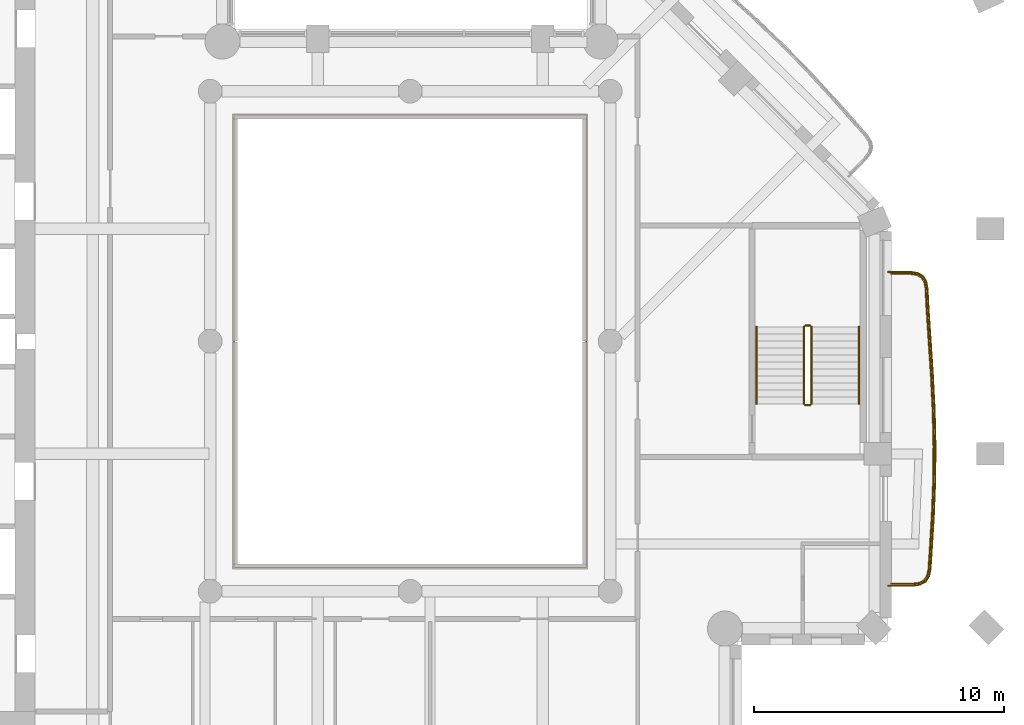
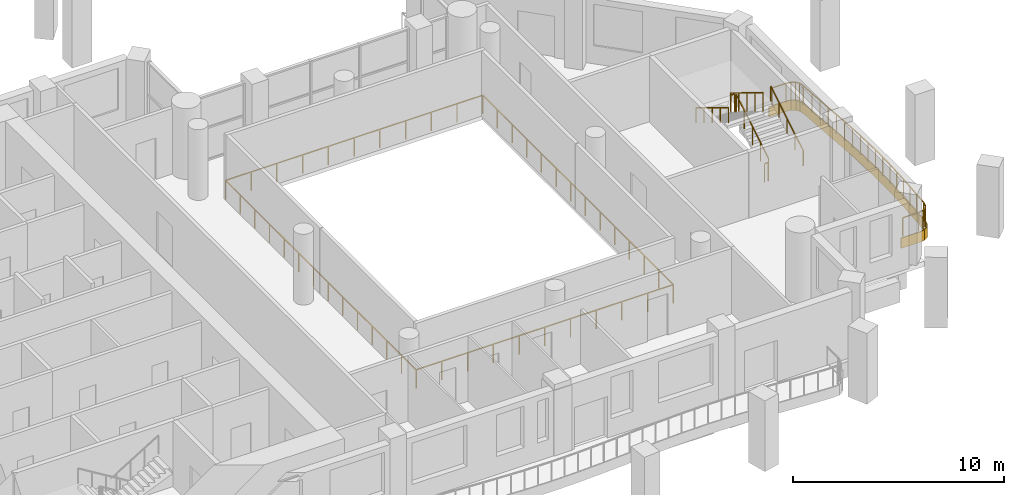
# One storey, part 11 of 13: 8 railings, 1 covering.
"""IFC4 building model written with IfcOpenShell, lengths in metres."""

from ifc_helpers import new_model, si_unit, direction, frame, origin, origin_2d, place, context, subcontext, project, spatial, polyline, rectangle, outline, extrude, material, layer, layer_set, type_object, element, save


model = new_model("IFC4")

# Units and contexts
model_context = context("Model", 3, precision=1e-05, world=origin(), true_north=direction((0.0, 1.0)))
body_context = subcontext(model_context, "Body", "Model", "MODEL_VIEW")
ifc_project = project(units=[si_unit("LENGTHUNIT", "METRE"), si_unit("AREAUNIT", "SQUARE_METRE"), si_unit("VOLUMEUNIT", "CUBIC_METRE"), si_unit("PLANEANGLEUNIT", "RADIAN"), si_unit("MASSUNIT", "GRAM", prefix="KILO")], contexts=[model_context])

# Site, building, storey
site_placement = place(None, origin())
site = spatial("IfcSite", under=ifc_project, at=site_placement, CompositionType="ELEMENT")
building_placement = place(site_placement, origin())
building = spatial("IfcBuilding", under=site, at=building_placement, Name="Cypress Arch Tower", CompositionType="ELEMENT")
storey_placement = place(building_placement, frame((0.0, 0.0, 189.199951171875)))
storey = spatial("IfcBuildingStorey", under=building, at=storey_placement, Name="L41", CompositionType="ELEMENT", Elevation=189.199951171875)

# Railing
ifc_material_1 = material(Name="Stainless steel posts and handrail, laminated glass infill", Category="steel")
railing_type_1 = type_object("IfcRailingType", Name="Atrium guard GR1100A", PredefinedType="GUARDRAIL", material=ifc_material_1)
railing_1_placement = place(storey_placement, frame((8.050048828125, -9.050048828125, 0.0)))
element("IfcRailing", 1, at=railing_1_placement, inside=storey, type_object=railing_type_1, Name="Atrium guard L41", PredefinedType="GUARDRAIL", context=body_context, shape_type="SweptSolid", body=[
    extrude(rectangle(XDim=0.050048828125, YDim=0.050048828125, at=origin_2d()), frame((0.0, 0.0, 1.0751953125), z_axis=(-1.0, 0.0, 0.0), x_axis=(0.0, -1.0, 0.0)), (0.0, 0.0, 1.0), 14.10009765625),
    extrude(rectangle(XDim=0.050048828125, YDim=0.050048828125, at=origin_2d()), frame((-14.10009765625, 0.0, 1.0751953125), z_axis=(0.0, 1.0, 0.0), x_axis=(-1.0, 0.0, 0.0)), (0.0, 0.0, 1.0), 18.10009765625),
    extrude(rectangle(XDim=0.050048828125, YDim=0.050048828125, at=origin_2d()), frame((-14.10009765625, 18.10009765625, 1.0751953125), z_axis=(1.0, 0.0, 0.0), x_axis=(0.0, 1.0, 0.0)), (0.0, 0.0, 1.0), 14.10009765625),
    extrude(rectangle(XDim=0.050048828125, YDim=0.050048828125, at=origin_2d()), frame((0.0, 18.10009765625, 1.0751953125), z_axis=(0.0, -1.0, 0.0), x_axis=(1.0, 0.0, 0.0)), (0.0, 0.0, 1.0), 18.10009765625),
    extrude(rectangle(XDim=0.050048828125, YDim=0.050048828125, at=origin_2d()), origin(), (0.0, 0.0, 1.0), 1.050048828125),
    extrude(rectangle(XDim=0.050048828125, YDim=0.050048828125, at=origin_2d()), frame((-1.409912109375, 0.0, 0.0)), (0.0, 0.0, 1.0), 1.050048828125),
    extrude(rectangle(XDim=0.050048828125, YDim=0.050048828125, at=origin_2d()), frame((-2.820068359375, 0.0, 0.0)), (0.0, 0.0, 1.0), 1.050048828125),
    extrude(rectangle(XDim=0.050048828125, YDim=0.050048828125, at=origin_2d()), frame((-4.22998046875, 0.0, 0.0)), (0.0, 0.0, 1.0), 1.050048828125),
    extrude(rectangle(XDim=0.050048828125, YDim=0.050048828125, at=origin_2d()), frame((-5.64013671875, 0.0, 0.0)), (0.0, 0.0, 1.0), 1.050048828125),
    extrude(rectangle(XDim=0.050048828125, YDim=0.050048828125, at=origin_2d()), frame((-7.050048828125, 0.0, 0.0)), (0.0, 0.0, 1.0), 1.050048828125),
    extrude(rectangle(XDim=0.050048828125, YDim=0.050048828125, at=origin_2d()), frame((-8.4599609375, 0.0, 0.0)), (0.0, 0.0, 1.0), 1.050048828125),
    extrude(rectangle(XDim=0.050048828125, YDim=0.050048828125, at=origin_2d()), frame((-9.8701171875, 0.0, 0.0)), (0.0, 0.0, 1.0), 1.050048828125),
    extrude(rectangle(XDim=0.050048828125, YDim=0.050048828125, at=origin_2d()), frame((-11.280029296875, 0.0, 0.0)), (0.0, 0.0, 1.0), 1.050048828125),
    extrude(rectangle(XDim=0.050048828125, YDim=0.050048828125, at=origin_2d()), frame((-12.690185546875, 0.0, 0.0)), (0.0, 0.0, 1.0), 1.050048828125),
    extrude(rectangle(XDim=0.050048828125, YDim=0.050048828125, at=origin_2d()), frame((-14.10009765625, 0.0, 0.0)), (0.0, 0.0, 1.0), 1.050048828125),
    extrude(rectangle(XDim=0.050048828125, YDim=0.050048828125, at=origin_2d()), frame((-14.10009765625, 1.392333984375, 0.0)), (0.0, 0.0, 1.0), 1.050048828125),
    extrude(rectangle(XDim=0.050048828125, YDim=0.050048828125, at=origin_2d()), frame((-14.10009765625, 2.78466796875, 0.0)), (0.0, 0.0, 1.0), 1.050048828125),
    extrude(rectangle(XDim=0.050048828125, YDim=0.050048828125, at=origin_2d()), frame((-14.10009765625, 4.177001953125, 0.0)), (0.0, 0.0, 1.0), 1.050048828125),
    extrude(rectangle(XDim=0.050048828125, YDim=0.050048828125, at=origin_2d()), frame((-14.10009765625, 5.5693359375, 0.0)), (0.0, 0.0, 1.0), 1.050048828125),
    extrude(rectangle(XDim=0.050048828125, YDim=0.050048828125, at=origin_2d()), frame((-14.10009765625, 6.961669921875, 0.0)), (0.0, 0.0, 1.0), 1.050048828125),
    extrude(rectangle(XDim=0.050048828125, YDim=0.050048828125, at=origin_2d()), frame((-14.10009765625, 8.35400390625, 0.0)), (0.0, 0.0, 1.0), 1.050048828125),
    extrude(rectangle(XDim=0.050048828125, YDim=0.050048828125, at=origin_2d()), frame((-14.10009765625, 9.74609375, 0.0)), (0.0, 0.0, 1.0), 1.050048828125),
    extrude(rectangle(XDim=0.050048828125, YDim=0.050048828125, at=origin_2d()), frame((-14.10009765625, 11.138427734375, 0.0)), (0.0, 0.0, 1.0), 1.050048828125),
    extrude(rectangle(XDim=0.050048828125, YDim=0.050048828125, at=origin_2d()), frame((-14.10009765625, 12.53076171875, 0.0)), (0.0, 0.0, 1.0), 1.050048828125),
    extrude(rectangle(XDim=0.050048828125, YDim=0.050048828125, at=origin_2d()), frame((-14.10009765625, 13.923095703125, 0.0)), (0.0, 0.0, 1.0), 1.050048828125),
    extrude(rectangle(XDim=0.050048828125, YDim=0.050048828125, at=origin_2d()), frame((-14.10009765625, 15.3154296875, 0.0)), (0.0, 0.0, 1.0), 1.050048828125),
    extrude(rectangle(XDim=0.050048828125, YDim=0.050048828125, at=origin_2d()), frame((-14.10009765625, 16.707763671875, 0.0)), (0.0, 0.0, 1.0), 1.050048828125),
    extrude(rectangle(XDim=0.050048828125, YDim=0.050048828125, at=origin_2d()), frame((-14.10009765625, 18.10009765625, 0.0)), (0.0, 0.0, 1.0), 1.050048828125),
    extrude(rectangle(XDim=0.050048828125, YDim=0.050048828125, at=origin_2d()), frame((-12.690185546875, 18.10009765625, 0.0)), (0.0, 0.0, 1.0), 1.050048828125),
    extrude(rectangle(XDim=0.050048828125, YDim=0.050048828125, at=origin_2d()), frame((-11.280029296875, 18.10009765625, 0.0)), (0.0, 0.0, 1.0), 1.050048828125),
    extrude(rectangle(XDim=0.050048828125, YDim=0.050048828125, at=origin_2d()), frame((-9.8701171875, 18.10009765625, 0.0)), (0.0, 0.0, 1.0), 1.050048828125),
    extrude(rectangle(XDim=0.050048828125, YDim=0.050048828125, at=origin_2d()), frame((-8.4599609375, 18.10009765625, 0.0)), (0.0, 0.0, 1.0), 1.050048828125),
    extrude(rectangle(XDim=0.050048828125, YDim=0.050048828125, at=origin_2d()), frame((-7.050048828125, 18.10009765625, 0.0)), (0.0, 0.0, 1.0), 1.050048828125),
    extrude(rectangle(XDim=0.050048828125, YDim=0.050048828125, at=origin_2d()), frame((-5.64013671875, 18.10009765625, 0.0)), (0.0, 0.0, 1.0), 1.050048828125),
    extrude(rectangle(XDim=0.050048828125, YDim=0.050048828125, at=origin_2d()), frame((-4.22998046875, 18.10009765625, 0.0)), (0.0, 0.0, 1.0), 1.050048828125),
    extrude(rectangle(XDim=0.050048828125, YDim=0.050048828125, at=origin_2d()), frame((-2.820068359375, 18.10009765625, 0.0)), (0.0, 0.0, 1.0), 1.050048828125),
    extrude(rectangle(XDim=0.050048828125, YDim=0.050048828125, at=origin_2d()), frame((-1.409912109375, 18.10009765625, 0.0)), (0.0, 0.0, 1.0), 1.050048828125),
    extrude(rectangle(XDim=0.050048828125, YDim=0.050048828125, at=origin_2d()), frame((0.0, 18.10009765625, 0.0)), (0.0, 0.0, 1.0), 1.050048828125),
    extrude(rectangle(XDim=0.050048828125, YDim=0.050048828125, at=origin_2d()), frame((0.0, 16.707763671875, 0.0)), (0.0, 0.0, 1.0), 1.050048828125),
    extrude(rectangle(XDim=0.050048828125, YDim=0.050048828125, at=origin_2d()), frame((0.0, 15.3154296875, 0.0)), (0.0, 0.0, 1.0), 1.050048828125),
    extrude(rectangle(XDim=0.050048828125, YDim=0.050048828125, at=origin_2d()), frame((0.0, 13.923095703125, 0.0)), (0.0, 0.0, 1.0), 1.050048828125),
    extrude(rectangle(XDim=0.050048828125, YDim=0.050048828125, at=origin_2d()), frame((0.0, 12.53076171875, 0.0)), (0.0, 0.0, 1.0), 1.050048828125),
    extrude(rectangle(XDim=0.050048828125, YDim=0.050048828125, at=origin_2d()), frame((0.0, 11.138427734375, 0.0)), (0.0, 0.0, 1.0), 1.050048828125),
    extrude(rectangle(XDim=0.050048828125, YDim=0.050048828125, at=origin_2d()), frame((0.0, 9.74609375, 0.0)), (0.0, 0.0, 1.0), 1.050048828125),
    extrude(rectangle(XDim=0.050048828125, YDim=0.050048828125, at=origin_2d()), frame((0.0, 8.35400390625, 0.0)), (0.0, 0.0, 1.0), 1.050048828125),
    extrude(rectangle(XDim=0.050048828125, YDim=0.050048828125, at=origin_2d()), frame((0.0, 6.961669921875, 0.0)), (0.0, 0.0, 1.0), 1.050048828125),
    extrude(rectangle(XDim=0.050048828125, YDim=0.050048828125, at=origin_2d()), frame((0.0, 5.5693359375, 0.0)), (0.0, 0.0, 1.0), 1.050048828125),
    extrude(rectangle(XDim=0.050048828125, YDim=0.050048828125, at=origin_2d()), frame((0.0, 4.177001953125, 0.0)), (0.0, 0.0, 1.0), 1.050048828125),
    extrude(rectangle(XDim=0.050048828125, YDim=0.050048828125, at=origin_2d()), frame((0.0, 2.78466796875, 0.0)), (0.0, 0.0, 1.0), 1.050048828125),
    extrude(rectangle(XDim=0.050048828125, YDim=0.050048828125, at=origin_2d()), frame((0.0, 1.392333984375, 0.0)), (0.0, 0.0, 1.0), 1.050048828125),
])

# Covering
ifc_material_2 = material(Name="White powder-coated aluminium fascia", Category="aluminium")
ifc_layer = layer(ifc_material_2, 0.050048828125)
ifc_layer_set = layer_set([ifc_layer], Name="Balcony fascia BF50")
covering_type = type_object("IfcCoveringType", Name="Balcony fascia BF50", PredefinedType="CLADDING", material=ifc_layer_set)
covering_placement = place(storey_placement, frame((0.0, 0.0, -0.599853515625)))
element("IfcCovering", 2, at=covering_placement, inside=storey, type_object=covering_type, Name="Balcony fascia L41-B04", PredefinedType="CLADDING", context=body_context, shape_type="SweptSolid", body=[
    extrude(outline(polyline([(21.0126953125, 2.800048828125), (21.3017578125, 2.759033203125), (21.52197265625, 2.631103515625), (21.660888671875, 2.41748046875), (21.71630859375, 2.131103515625), (21.7548828125, 1.364013671875), (21.845458984375, -0.024658203125), (21.935546875, -1.413818359375), (22.00439453125, -2.8037109375), (22.0361328125, -4.194091796875), (22.023681640625, -5.58447265625), (21.969482421875, -6.974609375), (21.886474609375, -8.3642578125), (21.8349609375, -9.1318359375), (21.77490234375, -9.418212890625), (21.632568359375, -9.63134765625), (21.410400390625, -9.759033203125), (21.12060546875, -9.800048828125), (20.10107421875, -9.800048828125), (20.10107421875, -9.75), (21.1171875, -9.75), (21.393798828125, -9.7109375), (21.597412109375, -9.59375), (21.727783203125, -9.3984375), (21.785400390625, -9.125), (21.83642578125, -8.361083984375), (21.91943359375, -6.97216796875), (21.9736328125, -5.583251953125), (21.986083984375, -4.1943359375), (21.954345703125, -2.8056640625), (21.885498046875, -1.416748046875), (21.79541015625, -0.02783203125), (21.705078125, 1.361083984375), (21.66650390625, 2.125), (21.613525390625, 2.3984375), (21.486328125, 2.59375), (21.284912109375, 2.7109375), (21.00927734375, 2.75), (20.10107421875, 2.75), (20.10107421875, 2.800048828125), (21.0126953125, 2.800048828125)])), origin(), (0.0, 0.0, 1.0), 0.599853515625),
])

# Railings
ifc_material_3 = material(Name="Powder-coated steel posts and rods, 100 mm clear between rods", Category="steel")
railing_type_2 = type_object("IfcRailingType", Name="Balcony guard GR1100", PredefinedType="GUARDRAIL", material=ifc_material_3)
railing_2_placement = place(storey_placement, frame((20.25, 2.699951171875, 0.0)))
element("IfcRailing", 3, at=railing_2_placement, inside=storey, type_object=railing_type_2, Name="Balcony guard L41-B04", PredefinedType="GUARDRAIL", context=body_context, shape_type="SweptSolid", body=[
    extrude(rectangle(XDim=0.050048828125, YDim=0.050048828125, at=origin_2d()), frame((0.0, 0.0, 1.0751953125), z_axis=(1.0, 0.0, 0.0), x_axis=(0.0, 1.0, 0.0)), (0.0, 0.0, 1.0), 0.755615234375),
    extrude(rectangle(XDim=0.050048828125, YDim=0.050048828125, at=origin_2d()), frame((0.755615234375, 0.0, 1.0751953125), z_axis=(0.990169142057, -0.139875194789, 0.0), x_axis=(0.139875194789, 0.990169142057, 0.0)), (0.0, 0.0, 1.0), 0.265380859375),
    extrude(rectangle(XDim=0.050048828125, YDim=0.050048828125, at=origin_2d()), frame((1.018310546875, -0.037109375, 1.0751953125), z_axis=(0.863946419146, -0.503583741641, 0.0), x_axis=(0.503583741641, 0.863946419146, 0.0)), (0.0, 0.0, 1.0), 0.21142578125),
    extrude(rectangle(XDim=0.050048828125, YDim=0.050048828125, at=origin_2d()), frame((1.200927734375, -0.1435546875, 1.0751953125), z_axis=(0.546408725372, -0.837518659397, 0.0), x_axis=(0.837518659397, 0.546408725372, 0.0)), (0.0, 0.0, 1.0), 0.21142578125),
    extrude(rectangle(XDim=0.050048828125, YDim=0.050048828125, at=origin_2d()), frame((1.31640625, -0.320556640625, 1.0751953125), z_axis=(0.189564086359, -0.98186835022, 0.0), x_axis=(0.98186835022, 0.189564086359, 0.0)), (0.0, 0.0, 1.0), 0.265380859375),
    extrude(rectangle(XDim=0.050048828125, YDim=0.050048828125, at=origin_2d()), frame((1.36669921875, -0.5810546875, 1.0751953125), z_axis=(0.050321275317, -0.998733082085, 0.0), x_axis=(0.998733082085, 0.050321275317, 0.0)), (0.0, 0.0, 1.0), 0.76171875),
    extrude(rectangle(XDim=0.050048828125, YDim=0.050048828125, at=origin_2d()), frame((1.405029296875, -1.341796875, 1.0751953125), z_axis=(0.065063951967, -0.997881096201, 0.0), x_axis=(0.997881096201, 0.065063951967, 0.0)), (0.0, 0.0, 1.0), 1.39208984375),
    extrude(rectangle(XDim=0.050048828125, YDim=0.050048828125, at=origin_2d()), frame((1.49560546875, -2.73095703125, 1.0751953125), z_axis=(0.064748670929, -0.997901603172, 0.0), x_axis=(0.997901603172, 0.064748670929, 0.0)), (0.0, 0.0, 1.0), 1.391357421875),
    extrude(rectangle(XDim=0.050048828125, YDim=0.050048828125, at=origin_2d()), frame((1.585693359375, -4.119384765625, 1.0751953125), z_axis=(0.049368049937, -0.998780654421, 0.0), x_axis=(0.998780654421, 0.049368049937, 0.0)), (0.0, 0.0, 1.0), 1.3896484375),
    extrude(rectangle(XDim=0.050048828125, YDim=0.050048828125, at=origin_2d()), frame((1.654296875, -5.50732421875, 1.0751953125), z_axis=(0.022869259257, -0.99973846429, 0.0), x_axis=(0.99973846429, 0.022869259257, 0.0)), (0.0, 0.0, 1.0), 1.3876953125),
    extrude(rectangle(XDim=0.050048828125, YDim=0.050048828125, at=origin_2d()), frame((1.68603515625, -6.894775390625, 1.0751953125), z_axis=(-0.008975351242, -0.999959720724, 0.0), x_axis=(0.999959720724, -0.008975351242, 0.0)), (0.0, 0.0, 1.0), 1.38720703125),
    extrude(rectangle(XDim=0.050048828125, YDim=0.050048828125, at=origin_2d()), frame((1.673583984375, -8.281982421875, 1.0751953125), z_axis=(-0.038851713962, -0.999244987139, 0.0), x_axis=(0.999244987139, -0.038851713962, 0.0)), (0.0, 0.0, 1.0), 1.388671875),
    extrude(rectangle(XDim=0.050048828125, YDim=0.050048828125, at=origin_2d()), frame((1.61962890625, -9.669677734375, 1.0751953125), z_axis=(-0.059689373888, -0.998216999778, 0.0), x_axis=(0.998216999778, -0.059689373888, 0.0)), (0.0, 0.0, 1.0), 1.390625),
    extrude(rectangle(XDim=0.050048828125, YDim=0.050048828125, at=origin_2d()), frame((1.53662109375, -11.057861328125, 1.0751953125), z_axis=(-0.066965592369, -0.997755285347, 0.0), x_axis=(0.997755285347, -0.066965592369, 0.0)), (0.0, 0.0, 1.0), 0.761962890625),
    extrude(rectangle(XDim=0.050048828125, YDim=0.050048828125, at=origin_2d()), frame((1.485595703125, -11.818115234375, 1.0751953125), z_axis=(-0.205455740806, -0.978666408216, 0.0), x_axis=(0.978666408216, -0.205455740806, 0.0)), (0.0, 0.0, 1.0), 0.26611328125),
    extrude(rectangle(XDim=0.050048828125, YDim=0.050048828125, at=origin_2d()), frame((1.430908203125, -12.07861328125, 1.0751953125), z_axis=(-0.555755315502, -0.831345914341, 0.0), x_axis=(0.831345914341, -0.555755315502, 0.0)), (0.0, 0.0, 1.0), 0.21337890625),
    extrude(rectangle(XDim=0.050048828125, YDim=0.050048828125, at=origin_2d()), frame((1.312255859375, -12.256103515625, 1.0751953125), z_axis=(-0.866337766837, -0.499458580617, 0.0), x_axis=(0.499458580617, -0.866337766837, 0.0)), (0.0, 0.0, 1.0), 0.213623046875),
    extrude(rectangle(XDim=0.050048828125, YDim=0.050048828125, at=origin_2d()), frame((1.127197265625, -12.36279296875, 1.0751953125), z_axis=(-0.990240767804, -0.139367219172, 0.0), x_axis=(0.139367219172, -0.990240767804, 0.0)), (0.0, 0.0, 1.0), 0.266357421875),
    extrude(rectangle(XDim=0.050048828125, YDim=0.050048828125, at=origin_2d()), frame((0.863525390625, -12.39990234375, 1.0751953125), z_axis=(-1.0, 0.0, 0.0), x_axis=(0.0, -1.0, 0.0)), (0.0, 0.0, 1.0), 0.863525390625),
    extrude(rectangle(XDim=0.0400390625, YDim=0.0400390625, at=origin_2d()), origin(), (0.0, 0.0, 1.0), 1.050048828125),
    extrude(rectangle(XDim=0.0400390625, YDim=0.0400390625, at=origin_2d()), frame((0.755615234375, 0.0, 0.0)), (0.0, 0.0, 1.0), 1.050048828125),
    extrude(rectangle(XDim=0.0400390625, YDim=0.0400390625, at=origin_2d()), frame((1.018310546875, -0.037109375, 0.0)), (0.0, 0.0, 1.0), 1.050048828125),
    extrude(rectangle(XDim=0.0400390625, YDim=0.0400390625, at=origin_2d()), frame((1.200927734375, -0.1435546875, 0.0)), (0.0, 0.0, 1.0), 1.050048828125),
    extrude(rectangle(XDim=0.0400390625, YDim=0.0400390625, at=origin_2d()), frame((1.31640625, -0.320556640625, 0.0)), (0.0, 0.0, 1.0), 1.050048828125),
    extrude(rectangle(XDim=0.0400390625, YDim=0.0400390625, at=origin_2d()), frame((1.36669921875, -0.5810546875, 0.0)), (0.0, 0.0, 1.0), 1.050048828125),
    extrude(rectangle(XDim=0.0400390625, YDim=0.0400390625, at=origin_2d()), frame((1.405029296875, -1.341796875, 0.0)), (0.0, 0.0, 1.0), 1.050048828125),
    extrude(rectangle(XDim=0.0400390625, YDim=0.0400390625, at=origin_2d()), frame((1.4501953125, -2.036376953125, 0.0)), (0.0, 0.0, 1.0), 1.050048828125),
    extrude(rectangle(XDim=0.0400390625, YDim=0.0400390625, at=origin_2d()), frame((1.49560546875, -2.73095703125, 0.0)), (0.0, 0.0, 1.0), 1.050048828125),
    extrude(rectangle(XDim=0.0400390625, YDim=0.0400390625, at=origin_2d()), frame((1.54052734375, -3.42529296875, 0.0)), (0.0, 0.0, 1.0), 1.050048828125),
    extrude(rectangle(XDim=0.0400390625, YDim=0.0400390625, at=origin_2d()), frame((1.585693359375, -4.119384765625, 0.0)), (0.0, 0.0, 1.0), 1.050048828125),
    extrude(rectangle(XDim=0.0400390625, YDim=0.0400390625, at=origin_2d()), frame((1.6201171875, -4.8134765625, 0.0)), (0.0, 0.0, 1.0), 1.050048828125),
    extrude(rectangle(XDim=0.0400390625, YDim=0.0400390625, at=origin_2d()), frame((1.654296875, -5.50732421875, 0.0)), (0.0, 0.0, 1.0), 1.050048828125),
    extrude(rectangle(XDim=0.0400390625, YDim=0.0400390625, at=origin_2d()), frame((1.670166015625, -6.201171875, 0.0)), (0.0, 0.0, 1.0), 1.050048828125),
    extrude(rectangle(XDim=0.0400390625, YDim=0.0400390625, at=origin_2d()), frame((1.68603515625, -6.894775390625, 0.0)), (0.0, 0.0, 1.0), 1.050048828125),
    extrude(rectangle(XDim=0.0400390625, YDim=0.0400390625, at=origin_2d()), frame((1.6796875, -7.58837890625, 0.0)), (0.0, 0.0, 1.0), 1.050048828125),
    extrude(rectangle(XDim=0.0400390625, YDim=0.0400390625, at=origin_2d()), frame((1.673583984375, -8.281982421875, 0.0)), (0.0, 0.0, 1.0), 1.050048828125),
    extrude(rectangle(XDim=0.0400390625, YDim=0.0400390625, at=origin_2d()), frame((1.646484375, -8.975830078125, 0.0)), (0.0, 0.0, 1.0), 1.050048828125),
    extrude(rectangle(XDim=0.0400390625, YDim=0.0400390625, at=origin_2d()), frame((1.61962890625, -9.669677734375, 0.0)), (0.0, 0.0, 1.0), 1.050048828125),
    extrude(rectangle(XDim=0.0400390625, YDim=0.0400390625, at=origin_2d()), frame((1.578125, -10.36376953125, 0.0)), (0.0, 0.0, 1.0), 1.050048828125),
    extrude(rectangle(XDim=0.0400390625, YDim=0.0400390625, at=origin_2d()), frame((1.53662109375, -11.057861328125, 0.0)), (0.0, 0.0, 1.0), 1.050048828125),
    extrude(rectangle(XDim=0.0400390625, YDim=0.0400390625, at=origin_2d()), frame((1.485595703125, -11.818115234375, 0.0)), (0.0, 0.0, 1.0), 1.050048828125),
    extrude(rectangle(XDim=0.0400390625, YDim=0.0400390625, at=origin_2d()), frame((1.430908203125, -12.07861328125, 0.0)), (0.0, 0.0, 1.0), 1.050048828125),
    extrude(rectangle(XDim=0.0400390625, YDim=0.0400390625, at=origin_2d()), frame((1.312255859375, -12.256103515625, 0.0)), (0.0, 0.0, 1.0), 1.050048828125),
    extrude(rectangle(XDim=0.0400390625, YDim=0.0400390625, at=origin_2d()), frame((1.127197265625, -12.36279296875, 0.0)), (0.0, 0.0, 1.0), 1.050048828125),
    extrude(rectangle(XDim=0.0400390625, YDim=0.0400390625, at=origin_2d()), frame((0.863525390625, -12.39990234375, 0.0)), (0.0, 0.0, 1.0), 1.050048828125),
    extrude(rectangle(XDim=0.0400390625, YDim=0.0400390625, at=origin_2d()), frame((0.0, -12.39990234375, 0.0)), (0.0, 0.0, 1.0), 1.050048828125),
])
ifc_material_4 = material(Name="Black powder-coated steel square bar 48 mm", Category="steel")
railing_type_3 = type_object("IfcRailingType", Name="Stair handrail HR1", PredefinedType="HANDRAIL", material=ifc_material_4)
railing_3_placement = place(storey_placement, frame((18.949951171875, -2.5, 0.1708984375)))
element("IfcRailing", 4, at=railing_3_placement, inside=storey, type_object=railing_type_3, Name="L41 C stair handrail 1", PredefinedType="HANDRAIL", context=body_context, shape_type="SweptSolid", body=[
    extrude(rectangle(XDim=0.048095703125, YDim=0.048095703125, at=origin_2d()), frame((0.0, 0.0, 0.8759765625), z_axis=(0.0, 0.853666305674, 0.52082035152), x_axis=(-1.0, 0.0, 0.0)), (0.0, 0.0, 1.0), 3.608154296875),
    extrude(rectangle(XDim=0.0419921875, YDim=0.0419921875, at=origin_2d()), origin(), (0.0, 0.0, 1.0), 0.851806640625),
    extrude(rectangle(XDim=0.0419921875, YDim=0.0419921875, at=origin_2d()), frame((0.0, 0.77001953125, 0.4697265625)), (0.0, 0.0, 1.0), 0.851806640625),
    extrude(rectangle(XDim=0.0419921875, YDim=0.0419921875, at=origin_2d()), frame((0.0, 1.5400390625, 0.939453125)), (0.0, 0.0, 1.0), 0.851806640625),
    extrude(rectangle(XDim=0.0419921875, YDim=0.0419921875, at=origin_2d()), frame((0.0, 2.31005859375, 1.409423828125)), (0.0, 0.0, 1.0), 0.851806640625),
    extrude(rectangle(XDim=0.0419921875, YDim=0.0419921875, at=origin_2d()), frame((0.0, 3.080078125, 1.879150390625)), (0.0, 0.0, 1.0), 0.851806640625),
])
railing_4_placement = place(storey_placement, frame((14.85009765625, 0.580078125, 2.220947265625)))
element("IfcRailing", 5, at=railing_4_placement, inside=storey, type_object=railing_type_3, Name="L41 C stair handrail 2", PredefinedType="HANDRAIL", context=body_context, shape_type="SweptSolid", body=[
    extrude(rectangle(XDim=0.048095703125, YDim=0.048095703125, at=origin_2d()), frame((0.0, 0.0, 0.8759765625), z_axis=(0.0, -0.853666305674, 0.52082035152), x_axis=(1.0, 0.0, 0.0)), (0.0, 0.0, 1.0), 3.608154296875),
    extrude(rectangle(XDim=0.0419921875, YDim=0.0419921875, at=origin_2d()), origin(), (0.0, 0.0, 1.0), 0.851806640625),
    extrude(rectangle(XDim=0.0419921875, YDim=0.0419921875, at=origin_2d()), frame((0.0, -0.77001953125, 0.4697265625)), (0.0, 0.0, 1.0), 0.851806640625),
    extrude(rectangle(XDim=0.0419921875, YDim=0.0419921875, at=origin_2d()), frame((0.0, -1.5400390625, 0.939453125)), (0.0, 0.0, 1.0), 0.851806640625),
    extrude(rectangle(XDim=0.0419921875, YDim=0.0419921875, at=origin_2d()), frame((0.0, -2.31005859375, 1.409423828125)), (0.0, 0.0, 1.0), 0.851806640625),
    extrude(rectangle(XDim=0.0419921875, YDim=0.0419921875, at=origin_2d()), frame((0.0, -3.080078125, 1.879150390625)), (0.0, 0.0, 1.0), 0.851806640625),
])
ifc_material_5 = material(Name="Black powder-coated steel balusters", Category="steel")
railing_type_4 = type_object("IfcRailingType", Name="Stair well guard G1", PredefinedType="GUARDRAIL", material=ifc_material_5)
railing_5_placement = place(storey_placement, frame((17.050048828125, -2.5, 0.1708984375)))
element("IfcRailing", 6, at=railing_5_placement, inside=storey, type_object=railing_type_4, Name="L41 C stair guard 1", PredefinedType="GUARDRAIL", context=body_context, shape_type="SweptSolid", body=[
    extrude(rectangle(XDim=0.048095703125, YDim=0.048095703125, at=origin_2d()), frame((0.0, 0.0, 1.076171875), z_axis=(0.0, 0.853666305674, 0.52082035152), x_axis=(-1.0, 0.0, 0.0)), (0.0, 0.0, 1.0), 3.608154296875),
    extrude(rectangle(XDim=0.0419921875, YDim=0.0419921875, at=origin_2d()), origin(), (0.0, 0.0, 1.0), 1.052001953125),
    extrude(rectangle(XDim=0.0419921875, YDim=0.0419921875, at=origin_2d()), frame((0.0, 0.77001953125, 0.4697265625)), (0.0, 0.0, 1.0), 1.052001953125),
    extrude(rectangle(XDim=0.0419921875, YDim=0.0419921875, at=origin_2d()), frame((0.0, 1.5400390625, 0.939453125)), (0.0, 0.0, 1.0), 1.052001953125),
    extrude(rectangle(XDim=0.0419921875, YDim=0.0419921875, at=origin_2d()), frame((0.0, 2.31005859375, 1.409423828125)), (0.0, 0.0, 1.0), 1.052001953125),
    extrude(rectangle(XDim=0.0419921875, YDim=0.0419921875, at=origin_2d()), frame((0.0, 3.080078125, 1.879150390625)), (0.0, 0.0, 1.0), 1.052001953125),
])
railing_6_placement = place(storey_placement, frame((17.0, 0.6298828125, 2.050048828125)))
element("IfcRailing", 7, at=railing_6_placement, inside=storey, type_object=railing_type_4, Name="L41 C stair guard 2", PredefinedType="GUARDRAIL", context=body_context, shape_type="SweptSolid", body=[
    extrude(rectangle(XDim=0.048095703125, YDim=0.048095703125, at=origin_2d()), frame((0.0, 0.0, 1.076171875), z_axis=(-1.0, 0.0, 0.0), x_axis=(0.0, -1.0, 0.0)), (0.0, 0.0, 1.0), 0.199951171875),
    extrude(rectangle(XDim=0.0419921875, YDim=0.0419921875, at=origin_2d()), origin(), (0.0, 0.0, 1.0), 1.052001953125),
    extrude(rectangle(XDim=0.0419921875, YDim=0.0419921875, at=origin_2d()), frame((-0.199951171875, 0.0, 0.0)), (0.0, 0.0, 1.0), 1.052001953125),
])
railing_7_placement = place(storey_placement, frame((16.75, 0.580078125, 2.220947265625)))
element("IfcRailing", 8, at=railing_7_placement, inside=storey, type_object=railing_type_4, Name="L41 C stair guard 3", PredefinedType="GUARDRAIL", context=body_context, shape_type="SweptSolid", body=[
    extrude(rectangle(XDim=0.048095703125, YDim=0.048095703125, at=origin_2d()), frame((0.0, 0.0, 1.076171875), z_axis=(0.0, -0.853666305674, 0.52082035152), x_axis=(1.0, 0.0, 0.0)), (0.0, 0.0, 1.0), 3.608154296875),
    extrude(rectangle(XDim=0.0419921875, YDim=0.0419921875, at=origin_2d()), origin(), (0.0, 0.0, 1.0), 1.052001953125),
    extrude(rectangle(XDim=0.0419921875, YDim=0.0419921875, at=origin_2d()), frame((0.0, -0.77001953125, 0.4697265625)), (0.0, 0.0, 1.0), 1.052001953125),
    extrude(rectangle(XDim=0.0419921875, YDim=0.0419921875, at=origin_2d()), frame((0.0, -1.5400390625, 0.939453125)), (0.0, 0.0, 1.0), 1.052001953125),
    extrude(rectangle(XDim=0.0419921875, YDim=0.0419921875, at=origin_2d()), frame((0.0, -2.31005859375, 1.409423828125)), (0.0, 0.0, 1.0), 1.052001953125),
    extrude(rectangle(XDim=0.0419921875, YDim=0.0419921875, at=origin_2d()), frame((0.0, -3.080078125, 1.879150390625)), (0.0, 0.0, 1.0), 1.052001953125),
])
railing_8_placement = place(storey_placement, frame((17.0, -2.550048828125, 0.0)))
element("IfcRailing", 9, at=railing_8_placement, inside=storey, type_object=railing_type_4, Name="L41 C stair guard 4", PredefinedType="GUARDRAIL", context=body_context, shape_type="SweptSolid", body=[
    extrude(rectangle(XDim=0.048095703125, YDim=0.048095703125, at=origin_2d()), frame((0.0, 0.0, 1.076171875), z_axis=(-1.0, 0.0, 0.0), x_axis=(0.0, -1.0, 0.0)), (0.0, 0.0, 1.0), 0.199951171875),
    extrude(rectangle(XDim=0.0419921875, YDim=0.0419921875, at=origin_2d()), origin(), (0.0, 0.0, 1.0), 1.052001953125),
    extrude(rectangle(XDim=0.0419921875, YDim=0.0419921875, at=origin_2d()), frame((-0.199951171875, 0.0, 0.0)), (0.0, 0.0, 1.0), 1.052001953125),
])

save(model, "model.ifc")
